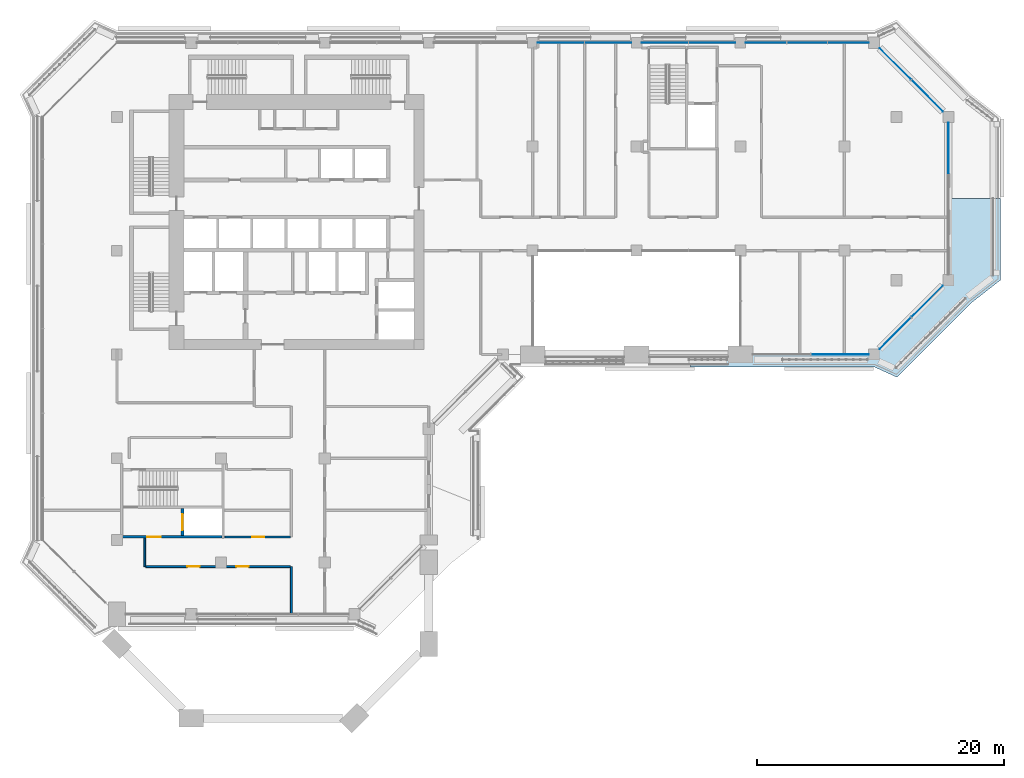
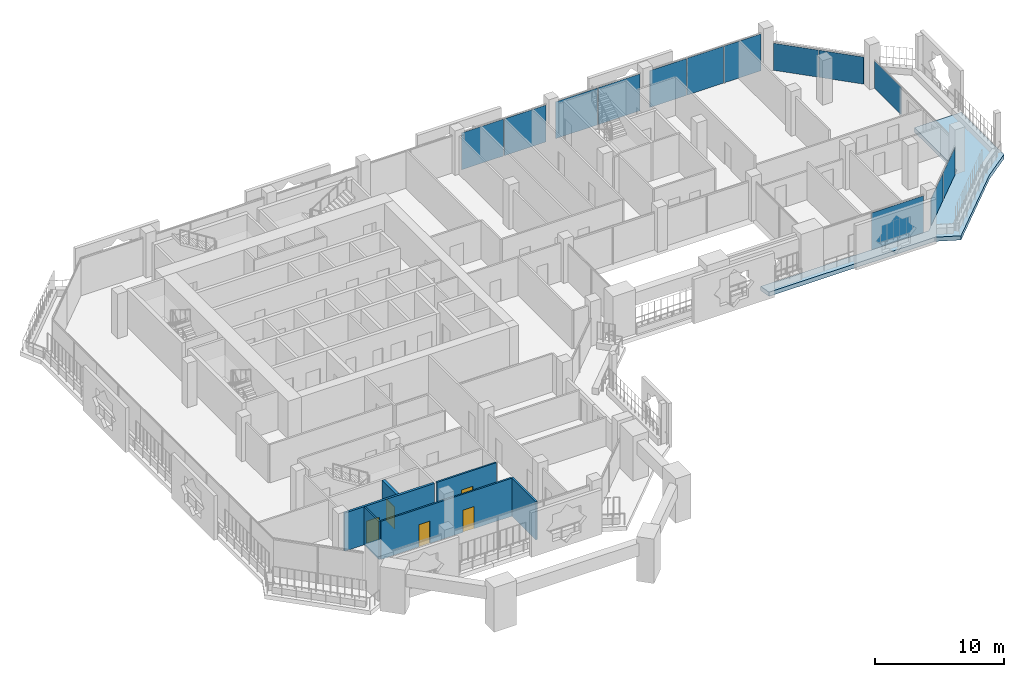
# One storey, part 11 of 23: 13 plates, 6 walls, 5 doors, 1 slab, 5 openings, 5 elements without a shape of their own.
"""IFC4 building model written with IfcOpenShell, lengths in metres."""

from ifc_helpers import new_model, si_unit, direction, frame, frame_2d, origin, origin_2d, place, context, subcontext, project, spatial, polyline, rectangle, outline, extrude, material, layer, layer_set, type_object, element, fill, aggregate, save


model = new_model("IFC4")

# Units and contexts
model_context = context("Model", 3, precision=1e-05, world=origin(), true_north=direction((0.0, 1.0)))
body_context = subcontext(model_context, "Body", "Model", "MODEL_VIEW")
ifc_project = project(units=[si_unit("LENGTHUNIT", "METRE"), si_unit("AREAUNIT", "SQUARE_METRE"), si_unit("VOLUMEUNIT", "CUBIC_METRE"), si_unit("PLANEANGLEUNIT", "RADIAN"), si_unit("MASSUNIT", "GRAM", prefix="KILO")], contexts=[model_context])

# Site, building, storey
site_placement = place(None, origin())
site = spatial("IfcSite", under=ifc_project, at=site_placement, CompositionType="ELEMENT")
building_placement = place(site_placement, origin())
building = spatial("IfcBuilding", under=site, at=building_placement, Name="Kawkab Arch Medical Tower", CompositionType="ELEMENT")
storey_placement = place(building_placement, frame((0.0, 0.0, 222.199951171875)))
storey = spatial("IfcBuildingStorey", under=building, at=storey_placement, Name="L51", CompositionType="ELEMENT", Elevation=222.199951171875)

# Curtain wall, plate
ifc_material_1 = material(Name="Bronze anodised aluminium curtain wall frame", Category="aluminium")
ifc_layer_1 = layer(ifc_material_1, 0.159912109375)
ifc_layer_set_1 = layer_set([ifc_layer_1], Name="Bronze anodised aluminium curtain wall frame")
curtain_wall_type_1 = type_object("IfcCurtainWallType", Name="CW1 ward curtain wall", PredefinedType="NOTDEFINED", material=ifc_layer_set_1)
placement = place(storey_placement, origin())
curtain_wall_1 = element("IfcCurtainWall", 1, at=placement, inside=storey, type_object=curtain_wall_type_1, Name="CW1 Ward curtain wall R05", PredefinedType="NOTDEFINED")
ifc_material_2 = material(Name="Tinted insulating glass, bronze low-e coating", Category="glass")
ifc_layer_2 = layer(ifc_material_2, 0.031982421875)
ifc_layer_set_2 = layer_set([ifc_layer_2], Name="Tinted insulating glass, bronze low-e coating")
plate_type_1 = type_object("IfcPlateType", Name="CW1 glazing unit 32", PredefinedType="CURTAIN_PANEL", material=ifc_layer_set_2)
plate_1_placement = place(storey_placement, frame((58.427490234375, -25.199951171875, 0.0), z_axis=(0.0, 0.0, 1.0), x_axis=(1.0, 0.0, 0.0)))
plate_1 = element("IfcPlate", 2, at=plate_1_placement, type_object=plate_type_1, Name="CW1 glazing unit 1.2", PredefinedType="CURTAIN_PANEL", context=body_context, shape_type="SweptSolid", body=[
    extrude(rectangle(XDim=4.64501953125, YDim=0.031982421875, at=origin_2d()), origin(), (0.0, 0.0, 1.0), 3.47998046875),
])
aggregate(curtain_wall_1, [plate_1])

curtain_wall_2 = element("IfcCurtainWall", 3, at=placement, inside=storey, type_object=curtain_wall_type_1, Name="CW1 Ward curtain wall R07", PredefinedType="NOTDEFINED")
plate_2_placement = place(storey_placement, frame((67.199951171875, -8.5, 0.0), z_axis=(0.0, 0.0, 1.0), x_axis=(0.0, 1.0, 0.0)))
plate_2 = element("IfcPlate", 4, at=plate_2_placement, type_object=plate_type_1, Name="CW1 glazing unit 1.3", PredefinedType="CURTAIN_PANEL", context=body_context, shape_type="SweptSolid", body=[
    extrude(rectangle(XDim=4.10009765625, YDim=0.031982421875, at=origin_2d()), origin(), (0.0, 0.0, 1.0), 2.580078125),
])
aggregate(curtain_wall_2, [plate_2])

# Curtain wall, plates
curtain_wall_3 = element("IfcCurtainWall", 5, at=placement, inside=storey, type_object=curtain_wall_type_1, Name="CW1 Ward curtain wall R09", PredefinedType="NOTDEFINED")
plate_3_placement = place(storey_placement, frame((59.11083984375, 0.0, 0.0), z_axis=(0.0, 0.0, 1.0), x_axis=(-1.0, 0.0, 0.0)))
plate_3 = element("IfcPlate", 6, at=plate_3_placement, type_object=plate_type_1, Name="CW1 glazing unit 1.1", PredefinedType="CURTAIN_PANEL", context=body_context, shape_type="SweptSolid", body=[
    extrude(rectangle(XDim=3.2783203125, YDim=0.031982421875, at=origin_2d()), origin(), (0.0, 0.0, 1.0), 3.47998046875),
])
plate_4_placement = place(storey_placement, frame((55.78759765625, 0.0, 0.0), z_axis=(0.0, 0.0, 1.0), x_axis=(-1.0, 0.0, 0.0)))
plate_4 = element("IfcPlate", 7, at=plate_4_placement, type_object=plate_type_1, Name="CW1 glazing unit 1.2", PredefinedType="CURTAIN_PANEL", context=body_context, shape_type="SweptSolid", body=[
    extrude(rectangle(XDim=3.248291015625, YDim=0.031982421875, at=origin_2d()), origin(), (0.0, 0.0, 1.0), 3.47998046875),
])
plate_5_placement = place(storey_placement, frame((52.464111328125, 0.0, 0.0), z_axis=(0.0, 0.0, 1.0), x_axis=(-1.0, 0.0, 0.0)))
plate_5 = element("IfcPlate", 8, at=plate_5_placement, type_object=plate_type_1, Name="CW1 glazing unit 1.3", PredefinedType="CURTAIN_PANEL", context=body_context, shape_type="SweptSolid", body=[
    extrude(rectangle(XDim=3.2783203125, YDim=0.031982421875, at=origin_2d()), origin(), (0.0, 0.0, 1.0), 3.47998046875),
])
plate_6_placement = place(storey_placement, frame((48.1025390625, 0.0, 0.0), z_axis=(0.0, 0.0, 1.0), x_axis=(-1.0, 0.0, 0.0)))
plate_6 = element("IfcPlate", 9, at=plate_6_placement, type_object=plate_type_1, Name="CW1 glazing unit 2.1", PredefinedType="CURTAIN_PANEL", context=body_context, shape_type="SweptSolid", body=[
    extrude(rectangle(XDim=3.7451171875, YDim=0.031982421875, at=origin_2d()), origin(), (0.0, 0.0, 1.0), 3.47998046875),
])
plate_7_placement = place(storey_placement, frame((44.297607421875, 0.0, 0.0), z_axis=(0.0, 0.0, 1.0), x_axis=(-1.0, 0.0, 0.0)))
plate_7 = element("IfcPlate", 10, at=plate_7_placement, type_object=plate_type_1, Name="CW1 glazing unit 2.2", PredefinedType="CURTAIN_PANEL", context=body_context, shape_type="SweptSolid", body=[
    extrude(rectangle(XDim=3.7451171875, YDim=0.031982421875, at=origin_2d()), origin(), (0.0, 0.0, 1.0), 3.47998046875),
])
plate_8_placement = place(storey_placement, frame((39.702392578125, 0.0, 0.0), z_axis=(0.0, 0.0, 1.0), x_axis=(-1.0, 0.0, 0.0)))
plate_8 = element("IfcPlate", 11, at=plate_8_placement, type_object=plate_type_1, Name="CW1 glazing unit 3.1", PredefinedType="CURTAIN_PANEL", context=body_context, shape_type="SweptSolid", body=[
    extrude(rectangle(XDim=3.7451171875, YDim=0.031982421875, at=origin_2d()), origin(), (0.0, 0.0, 1.0), 3.47998046875),
])
plate_9_placement = place(storey_placement, frame((35.8974609375, 0.0, 0.0), z_axis=(0.0, 0.0, 1.0), x_axis=(-1.0, 0.0, 0.0)))
plate_9 = element("IfcPlate", 12, at=plate_9_placement, type_object=plate_type_1, Name="CW1 glazing unit 3.2", PredefinedType="CURTAIN_PANEL", context=body_context, shape_type="SweptSolid", body=[
    extrude(rectangle(XDim=3.7451171875, YDim=0.031982421875, at=origin_2d()), origin(), (0.0, 0.0, 1.0), 3.47998046875),
])
aggregate(curtain_wall_3, [plate_3, plate_4, plate_5, plate_6, plate_7, plate_8, plate_9])

ifc_material_3 = material(Name="Bronze anodised aluminium curtain wall frame", Category="aluminium")
ifc_layer_3 = layer(ifc_material_3, 0.159912109375)
ifc_layer_set_3 = layer_set([ifc_layer_3], Name="Bronze anodised aluminium curtain wall frame")
curtain_wall_type_2 = type_object("IfcCurtainWallType", Name="CW2 chamfer curtain wall", PredefinedType="NOTDEFINED", material=ifc_layer_set_3)
curtain_wall_4 = element("IfcCurtainWall", 13, at=placement, inside=storey, type_object=curtain_wall_type_2, Name="CW2 Chamfer curtain wall R06", PredefinedType="NOTDEFINED")
ifc_material_4 = material(Name="Tinted insulating glass, bronze low-e coating", Category="glass")
ifc_layer_4 = layer(ifc_material_4, 0.031982421875)
ifc_layer_set_4 = layer_set([ifc_layer_4], Name="Tinted insulating glass, bronze low-e coating")
plate_type_2 = type_object("IfcPlateType", Name="CW2 glazing unit 32", PredefinedType="CURTAIN_PANEL", material=ifc_layer_set_4)
plate_10_placement = place(storey_placement, frame((62.914306640625, -23.485595703125, 0.0), z_axis=(0.0, 0.0, 1.0), x_axis=(0.707106781187, 0.707106781187, 0.0)))
plate_10 = element("IfcPlate", 14, at=plate_10_placement, type_object=plate_type_2, Name="CW2 glazing unit 1.1", PredefinedType="CURTAIN_PANEL", context=body_context, shape_type="SweptSolid", body=[
    extrude(rectangle(XDim=3.576171875, YDim=0.031982421875, at=origin_2d()), origin(), (0.0, 0.0, 1.0), 2.56005859375),
])
plate_11_placement = place(storey_placement, frame((65.485595703125, -20.914306640625, 0.0), z_axis=(0.0, 0.0, 1.0), x_axis=(0.707106781187, 0.707106781187, 0.0)))
plate_11 = element("IfcPlate", 15, at=plate_11_placement, type_object=plate_type_2, Name="CW2 glazing unit 1.2", PredefinedType="CURTAIN_PANEL", context=body_context, shape_type="SweptSolid", body=[
    extrude(rectangle(XDim=3.576171875, YDim=0.031982421875, at=origin_2d()), origin(), (0.0, 0.0, 1.0), 2.56005859375),
])
aggregate(curtain_wall_4, [plate_10, plate_11])

curtain_wall_5 = element("IfcCurtainWall", 16, at=placement, inside=storey, type_object=curtain_wall_type_2, Name="CW2 Chamfer curtain wall R08", PredefinedType="NOTDEFINED")
plate_12_placement = place(storey_placement, frame((65.485595703125, -4.28564453125, 0.0), z_axis=(0.0, 0.0, 1.0), x_axis=(-0.707106781187, 0.707106781187, 0.0)))
plate_12 = element("IfcPlate", 17, at=plate_12_placement, type_object=plate_type_2, Name="CW2 glazing unit 1.1", PredefinedType="CURTAIN_PANEL", context=body_context, shape_type="SweptSolid", body=[
    extrude(rectangle(XDim=3.576171875, YDim=0.031982421875, at=origin_2d()), origin(), (0.0, 0.0, 1.0), 2.56005859375),
])
plate_13_placement = place(storey_placement, frame((62.914306640625, -1.71435546875, 0.0), z_axis=(0.0, 0.0, 1.0), x_axis=(-0.707106781187, 0.707106781187, 0.0)))
plate_13 = element("IfcPlate", 18, at=plate_13_placement, type_object=plate_type_2, Name="CW2 glazing unit 1.2", PredefinedType="CURTAIN_PANEL", context=body_context, shape_type="SweptSolid", body=[
    extrude(rectangle(XDim=3.576171875, YDim=0.031982421875, at=origin_2d()), origin(), (0.0, 0.0, 1.0), 2.56005859375),
])
aggregate(curtain_wall_5, [plate_12, plate_13])

# Slab
ifc_material_5 = material(Name="Concrete C40/50", Category="concrete")
ifc_layer_5 = layer(ifc_material_5, 0.39990234375)
ifc_layer_set_5 = layer_set([ifc_layer_5], Name="Concrete C40/50")
slab_type = type_object("IfcSlabType", Name="Loggia slab 400", PredefinedType="FLOOR", material=ifc_layer_set_5)
slab_placement = place(storey_placement, frame((0.0, 0.0, -0.39990234375)))
element("IfcSlab", 19, at=slab_placement, inside=storey, type_object=slab_type, Name="Loggia slab L51.4", PredefinedType="FLOOR", context=body_context, shape_type="SweptSolid", body=[
    extrude(outline(polyline([(69.0380859375, -21.0380859375), (63.0380859375, -27.0380859375), (61.199951171875, -26.199951171875), (46.366943359375, -26.199951171875), (46.199951171875, -25.199951171875), (61.199951171875, -25.199951171875), (67.199951171875, -19.199951171875), (67.200927734375, -19.199951171875), (67.200927734375, -12.60009765625), (71.39990234375, -12.60009765625), (71.39990234375, -19.199951171875), (69.0380859375, -21.0380859375)])), origin(), (0.0, 0.0, 1.0), 0.39990234375),
])

# Wall, opening, door
ifc_material_6 = material(Name="Concrete C60/75", Category="concrete")
ifc_layer_6 = layer(ifc_material_6, 0.25)
ifc_layer_set_6 = layer_set([ifc_layer_6], Name="Concrete C60/75")
wall_type_1 = type_object("IfcWallType", Name="Core shear wall 250 C60/75", PredefinedType="SHEAR", material=ifc_layer_set_6)
wall_1_placement = place(storey_placement, frame((5.300048828125, -39.85009765625, 0.0), z_axis=(0.0, 0.0, 1.0), x_axis=(0.0, 1.0, 0.0)))
wall_1 = element("IfcWall", 20, at=wall_1_placement, inside=storey, type_object=wall_type_1, Name="L51 core shear wall", PredefinedType="SHEAR", context=body_context, shape_type="SweptSolid", body=[
    extrude(rectangle(XDim=2.2001953125, YDim=0.25, at=frame_2d((1.10009765625, 0.0))), origin(), (0.0, 0.0, 1.0), 3.60009765625),
])
opening_1_placement = place(wall_1_placement, frame((0.449951171875, 0.0, 0.0)))
opening_1 = element("IfcOpeningElement", 21, at=opening_1_placement, cuts=wall_1, Name="Opening LD2", PredefinedType="OPENING", context=body_context, shape_type="SweptSolid", body=[
    extrude(rectangle(XDim=1.300048828125, YDim=2.10009765625, at=frame_2d((0.64990234375, 1.050048828125))), frame((0.0, 0.135009765625, 0.0), z_axis=(0.0, -1.0, 0.0), x_axis=(1.0, 0.0, 0.0)), (0.0, 0.0, 1.0), 0.27001953125),
])
ifc_material_7 = material(Name="Stainless steel lift door leaf", Category="steel")
door_type_1 = type_object("IfcDoorType", Name="Lift landing door 1300", OperationType="DOUBLE_DOOR_SLIDING", PredefinedType="DOOR", material=ifc_material_7)
door_1_placement = place(opening_1_placement, origin())
door_1 = element("IfcDoor", 22, at=door_1_placement, inside=storey, type_object=door_type_1, Name="L51 Lift landing door SV2", OperationType="DOUBLE_DOOR_SLIDING", OverallHeight=2.10009765625, OverallWidth=1.300048828125, PredefinedType="DOOR", context=body_context, shape_type="SweptSolid", body=[
    extrude(rectangle(XDim=1.300048828125, YDim=2.10009765625, at=frame_2d((0.64990234375, 1.050048828125))), frame((0.0, 0.02490234375, 0.0), z_axis=(0.0, -1.0, 0.0), x_axis=(1.0, 0.0, 0.0)), (0.0, 0.0, 1.0), 0.050048828125),
])
fill(opening_1, door_1)

# Wall, openings, doors
ifc_material_8 = material(Name="Gypsum board partition on steel studs, mineral wool", Category="steel")
ifc_layer_7 = layer(ifc_material_8, 0.14990234375)
ifc_layer_set_7 = layer_set([ifc_layer_7], Name="Gypsum board partition on steel studs, mineral wool")
wall_type_2 = type_object("IfcWallType", Name="Partition 150", PredefinedType="PARTITIONING", material=ifc_layer_set_7)
wall_2_placement = place(storey_placement, frame((2.326904296875, -42.35009765625, 0.0), z_axis=(0.0, 0.0, 1.0), x_axis=(1.0, 0.0, 0.0)))
wall_2 = element("IfcWall", 23, at=wall_2_placement, inside=storey, type_object=wall_type_2, Name="Partition 150 w001", PredefinedType="PARTITIONING", context=body_context, shape_type="SweptSolid", body=[
    extrude(rectangle(XDim=11.697998046875, YDim=0.14990234375, at=frame_2d((5.84912109375, 0.0))), origin(), (0.0, 0.0, 1.0), 3.60009765625),
])
opening_2_placement = place(wall_2_placement, frame((7.323974609375, 0.0, 0.0)))
opening_2 = element("IfcOpeningElement", 24, at=opening_2_placement, cuts=wall_2, Name="Opening B51-018", PredefinedType="OPENING", context=body_context, shape_type="SweptSolid", body=[
    extrude(rectangle(XDim=1.0, YDim=2.10009765625, at=frame_2d((0.5, 1.050048828125))), frame((0.0, 0.0849609375, 0.0), z_axis=(0.0, -1.0, 0.0), x_axis=(1.0, 0.0, 0.0)), (0.0, 0.0, 1.0), 0.169921875),
])
opening_3_placement = place(wall_2_placement, frame((3.3740234375, 0.0, 0.0)))
opening_3 = element("IfcOpeningElement", 25, at=opening_3_placement, cuts=wall_2, Name="Opening B51-019", PredefinedType="OPENING", context=body_context, shape_type="SweptSolid", body=[
    extrude(rectangle(XDim=1.0, YDim=2.10009765625, at=frame_2d((0.5, 1.050048828125))), frame((0.0, 0.0849609375, 0.0), z_axis=(0.0, -1.0, 0.0), x_axis=(1.0, 0.0, 0.0)), (0.0, 0.0, 1.0), 0.169921875),
])
ifc_material_9 = material(Name="Hollow metal door leaf")
door_type_2 = type_object("IfcDoorType", Name="Single door 1000x2100 FD30S", OperationType="NOTDEFINED", PredefinedType="DOOR", material=ifc_material_9)
door_2_placement = place(opening_2_placement, origin())
door_2 = element("IfcDoor", 26, at=door_2_placement, inside=storey, type_object=door_type_2, Name="Door B51-018", OperationType="SINGLE_SWING_LEFT", OverallHeight=2.10009765625, OverallWidth=1.0, PredefinedType="DOOR", context=body_context, shape_type="SweptSolid", body=[
    extrude(rectangle(XDim=1.0, YDim=2.10009765625, at=frame_2d((0.5, 1.050048828125))), frame((0.0, 0.02490234375, 0.0), z_axis=(0.0, -1.0, 0.0), x_axis=(1.0, 0.0, 0.0)), (0.0, 0.0, 1.0), 0.050048828125),
])
fill(opening_2, door_2)
door_3_placement = place(opening_3_placement, origin())
door_3 = element("IfcDoor", 27, at=door_3_placement, inside=storey, type_object=door_type_2, Name="Door B51-019", OperationType="SINGLE_SWING_RIGHT", OverallHeight=2.10009765625, OverallWidth=1.0, PredefinedType="DOOR", context=body_context, shape_type="SweptSolid", body=[
    extrude(rectangle(XDim=1.0, YDim=2.10009765625, at=frame_2d((0.5, 1.050048828125))), frame((0.0, 0.02490234375, 0.0), z_axis=(0.0, -1.0, 0.0), x_axis=(1.0, 0.0, 0.0)), (0.0, 0.0, 1.0), 0.050048828125),
])
fill(opening_3, door_3)

# Wall, opening, door
wall_3_placement = place(storey_placement, frame((8.72998046875, -39.949951171875, 0.0), z_axis=(0.0, 0.0, 1.0), x_axis=(1.0, 0.0, 0.0)))
wall_3 = element("IfcWall", 28, at=wall_3_placement, inside=storey, type_object=wall_type_2, Name="Partition 150 w002", PredefinedType="PARTITIONING", context=body_context, shape_type="SweptSolid", body=[
    extrude(rectangle(XDim=5.294921875, YDim=0.14990234375, at=frame_2d((2.6474609375, 0.0))), origin(), (0.0, 0.0, 1.0), 3.60009765625),
])
opening_4_placement = place(wall_3_placement, frame((2.18505859375, 0.0, 0.0)))
opening_4 = element("IfcOpeningElement", 29, at=opening_4_placement, cuts=wall_3, Name="Opening B51-026", PredefinedType="OPENING", context=body_context, shape_type="SweptSolid", body=[
    extrude(rectangle(XDim=1.0, YDim=2.10009765625, at=frame_2d((0.5, 1.050048828125))), frame((0.0, 0.0849609375, 0.0), z_axis=(0.0, -1.0, 0.0), x_axis=(1.0, 0.0, 0.0)), (0.0, 0.0, 1.0), 0.169921875),
])
door_4_placement = place(opening_4_placement, origin())
door_4 = element("IfcDoor", 30, at=door_4_placement, inside=storey, type_object=door_type_2, Name="Door B51-026", OperationType="SINGLE_SWING_RIGHT", OverallHeight=2.10009765625, OverallWidth=1.0, PredefinedType="DOOR", context=body_context, shape_type="SweptSolid", body=[
    extrude(rectangle(XDim=1.0, YDim=2.10009765625, at=frame_2d((0.5, 1.050048828125))), frame((0.0, 0.02490234375, 0.0), z_axis=(0.0, -1.0, 0.0), x_axis=(1.0, 0.0, 0.0)), (0.0, 0.0, 1.0), 0.050048828125),
])
fill(opening_4, door_4)

# Walls
wall_4_placement = place(storey_placement, frame((2.25, -42.347900390625, 0.0), z_axis=(0.0, 0.0, 1.0), x_axis=(0.0, 1.0, 0.0)))
element("IfcWall", 31, at=wall_4_placement, inside=storey, type_object=wall_type_2, Name="Partition 150 w026", PredefinedType="PARTITIONING", context=body_context, shape_type="SweptSolid", body=[
    extrude(rectangle(XDim=2.2978515625, YDim=0.14990234375, at=frame_2d((1.14892578125, 0.0))), origin(), (0.0, 0.0, 1.0), 3.60009765625),
])
wall_5_placement = place(storey_placement, frame((14.10009765625, -46.1201171875, 0.0), z_axis=(0.0, 0.0, 1.0), x_axis=(0.0, 1.0, 0.0)))
element("IfcWall", 32, at=wall_5_placement, inside=storey, type_object=wall_type_2, Name="Partition 150 w029", PredefinedType="PARTITIONING", context=body_context, shape_type="SweptSolid", body=[
    extrude(rectangle(XDim=3.77001953125, YDim=0.14990234375, at=frame_2d((1.885009765625, 0.0))), origin(), (0.0, 0.0, 1.0), 3.60009765625),
])

# Wall, opening, door
ifc_material_10 = material(Name="Concrete C50/60", Category="concrete")
ifc_layer_8 = layer(ifc_material_10, 0.199951171875)
ifc_layer_set_8 = layer_set([ifc_layer_8], Name="Concrete C50/60")
wall_type_3 = type_object("IfcWallType", Name="Stair enclosure wall 200 C50/60", PredefinedType="SHEAR", material=ifc_layer_set_8)
wall_6_placement = place(storey_placement, frame((0.449951171875, -39.949951171875, 0.0), z_axis=(0.0, 0.0, 1.0), x_axis=(1.0, 0.0, 0.0)))
wall_6 = element("IfcWall", 33, at=wall_6_placement, inside=storey, type_object=wall_type_3, Name="L51 stair enclosure wall", PredefinedType="SHEAR", context=body_context, shape_type="SweptSolid", body=[
    extrude(rectangle(XDim=8.050048828125, YDim=0.199951171875, at=frame_2d((4.02490234375, 0.0))), origin(), (0.0, 0.0, 1.0), 3.60009765625),
])
opening_5_placement = place(wall_6_placement, frame((2.0, 0.0, 0.0)))
opening_5 = element("IfcOpeningElement", 34, at=opening_5_placement, cuts=wall_6, Name="Opening FD", PredefinedType="OPENING", context=body_context, shape_type="SweptSolid", body=[
    extrude(rectangle(XDim=1.10009765625, YDim=2.10009765625, at=frame_2d((0.550048828125, 1.050048828125))), frame((0.0, 0.10986328125, 0.0), z_axis=(0.0, -1.0, 0.0), x_axis=(1.0, 0.0, 0.0)), (0.0, 0.0, 1.0), 0.219970703125),
])
ifc_material_11 = material(Name="Hollow metal fire door leaf")
door_type_3 = type_object("IfcDoorType", Name="Firefighting lobby door 1100", OperationType="SINGLE_SWING_LEFT", PredefinedType="DOOR", material=ifc_material_11)
door_5_placement = place(opening_5_placement, origin())
door_5 = element("IfcDoor", 35, at=door_5_placement, inside=storey, type_object=door_type_3, Name="L51 Service lift lobby door SV2", OperationType="SINGLE_SWING_LEFT", OverallHeight=2.10009765625, OverallWidth=1.10009765625, PredefinedType="DOOR", context=body_context, shape_type="SweptSolid", body=[
    extrude(rectangle(XDim=1.10009765625, YDim=2.10009765625, at=frame_2d((0.550048828125, 1.050048828125))), frame((0.0, 0.02490234375, 0.0), z_axis=(0.0, -1.0, 0.0), x_axis=(1.0, 0.0, 0.0)), (0.0, 0.0, 1.0), 0.050048828125),
])
fill(opening_5, door_5)

save(model, "model.ifc")
